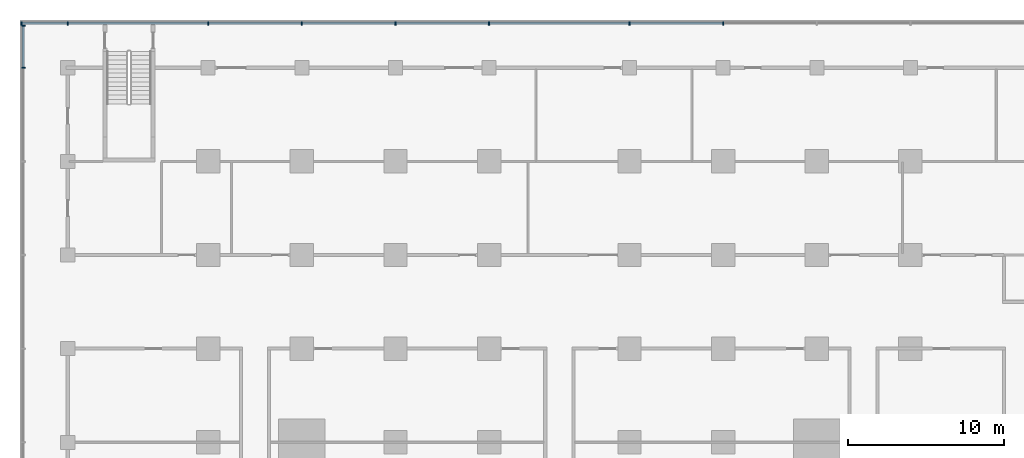
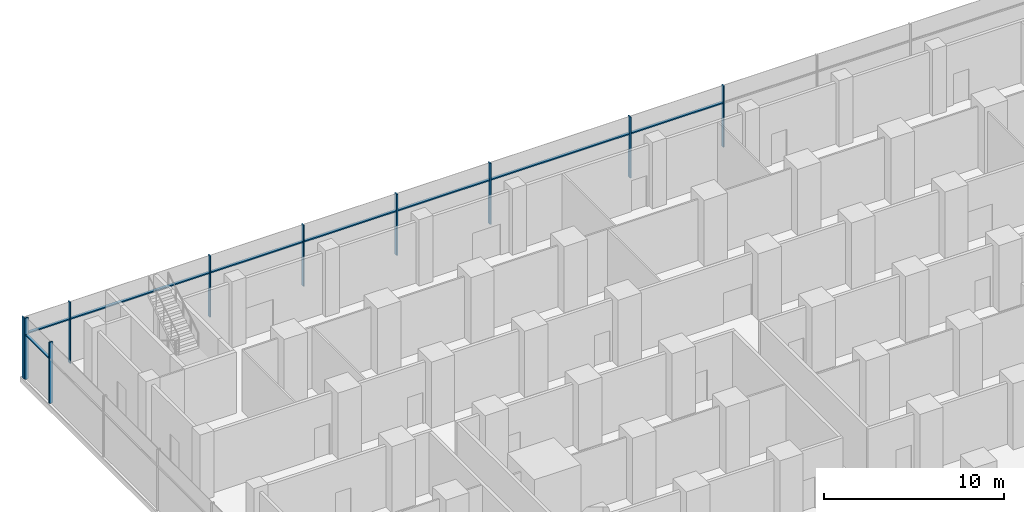
# One storey, part 7 of 22: 18 members, 2 elements without a shape of their own.
"""IFC4 building model written with IfcOpenShell, lengths in metres."""

from ifc_helpers import new_model, si_unit, direction, frame, origin, origin_2d, place, context, subcontext, project, spatial, rectangle, extrude, material, material_profile, profile_set, type_object, element, aggregate, save


model = new_model("IFC4")

# Units and contexts
model_context = context("Model", 3, precision=1e-05, world=origin(), true_north=direction((0.0, 1.0)))
body_context = subcontext(model_context, "Body", "Model", "MODEL_VIEW")
ifc_project = project(units=[si_unit("LENGTHUNIT", "METRE"), si_unit("AREAUNIT", "SQUARE_METRE"), si_unit("VOLUMEUNIT", "CUBIC_METRE"), si_unit("PLANEANGLEUNIT", "RADIAN"), si_unit("MASSUNIT", "GRAM", prefix="KILO")], contexts=[model_context])

# Site, building, storey
site_placement = place(None, origin())
site = spatial("IfcSite", under=ifc_project, at=site_placement, CompositionType="ELEMENT")
building_placement = place(site_placement, origin())
building = spatial("IfcBuilding", under=site, at=building_placement, Name="Finial Court Residences", CompositionType="ELEMENT")
storey_placement = place(building_placement, frame((0.0, 0.0, 23.5)))
storey = spatial("IfcBuildingStorey", under=building, at=storey_placement, Name="L04", CompositionType="ELEMENT", Elevation=23.5)

# Curtain wall, members
ifc_material = material(Name="Bronze anodised aluminium", Category="aluminium")
curtain_wall_type = type_object("IfcCurtainWallType", Name="Podium curtain wall", PredefinedType="NOTDEFINED", material=ifc_material)
curtain_wall_1_placement = place(storey_placement, origin())
curtain_wall_1 = element("IfcCurtainWall", 1, at=curtain_wall_1_placement, inside=storey, type_object=curtain_wall_type, Name="E-L04-CW-N1", PredefinedType="NOTDEFINED")
ifc_material_profile_1 = material_profile(ifc_material, rectangle(XDim=0.22509765625, YDim=0.080078125, at=origin_2d()), Name="CW5 mullion 80 x 225")
ifc_profile_set_1 = profile_set([ifc_material_profile_1], Name="Bronze anodised aluminium")
member_type_1 = type_object("IfcMemberType", Name="CW5 mullion 80 x 225", PredefinedType="MULLION", material=ifc_profile_set_1)
member_1_placement = place(storey_placement, frame((-34.4599609375, 34.35009765625, 0.0), z_axis=(0.0, 0.0, 1.0), x_axis=(0.0, 1.0, 0.0)))
member_1 = element("IfcMember", 2, at=member_1_placement, type_object=member_type_1, Name="CW5 mullion 1", PredefinedType="MULLION", context=body_context, shape_type="SweptSolid", body=[
    extrude(rectangle(XDim=0.22509765625, YDim=0.080078125, at=origin_2d()), origin(), (0.0, 0.0, 1.0), 4.14990234375),
])
member_2_placement = place(storey_placement, frame((-31.5, 34.35009765625, 0.0), z_axis=(0.0, 0.0, 1.0), x_axis=(0.0, 1.0, 0.0)))
member_2 = element("IfcMember", 3, at=member_2_placement, type_object=member_type_1, Name="CW5 mullion 2", PredefinedType="MULLION", context=body_context, shape_type="SweptSolid", body=[
    extrude(rectangle(XDim=0.22509765625, YDim=0.080078125, at=origin_2d()), origin(), (0.0, 0.0, 1.0), 4.14990234375),
])
member_3_placement = place(storey_placement, frame((-22.5, 34.35009765625, 0.0), z_axis=(0.0, 0.0, 1.0), x_axis=(0.0, 1.0, 0.0)))
member_3 = element("IfcMember", 4, at=member_3_placement, type_object=member_type_1, Name="CW5 mullion 3", PredefinedType="MULLION", context=body_context, shape_type="SweptSolid", body=[
    extrude(rectangle(XDim=0.22509765625, YDim=0.080078125, at=origin_2d()), origin(), (0.0, 0.0, 1.0), 4.14990234375),
])
member_4_placement = place(storey_placement, frame((-16.5, 34.35009765625, 0.0), z_axis=(0.0, 0.0, 1.0), x_axis=(0.0, 1.0, 0.0)))
member_4 = element("IfcMember", 5, at=member_4_placement, type_object=member_type_1, Name="CW5 mullion 4", PredefinedType="MULLION", context=body_context, shape_type="SweptSolid", body=[
    extrude(rectangle(XDim=0.22509765625, YDim=0.080078125, at=origin_2d()), origin(), (0.0, 0.0, 1.0), 4.14990234375),
])
member_5_placement = place(storey_placement, frame((-10.5, 34.35009765625, 0.0), z_axis=(0.0, 0.0, 1.0), x_axis=(0.0, 1.0, 0.0)))
member_5 = element("IfcMember", 6, at=member_5_placement, type_object=member_type_1, Name="CW5 mullion 5", PredefinedType="MULLION", context=body_context, shape_type="SweptSolid", body=[
    extrude(rectangle(XDim=0.22509765625, YDim=0.080078125, at=origin_2d()), origin(), (0.0, 0.0, 1.0), 4.14990234375),
])
member_6_placement = place(storey_placement, frame((-4.5, 34.35009765625, 0.0), z_axis=(0.0, 0.0, 1.0), x_axis=(0.0, 1.0, 0.0)))
member_6 = element("IfcMember", 7, at=member_6_placement, type_object=member_type_1, Name="CW5 mullion 6", PredefinedType="MULLION", context=body_context, shape_type="SweptSolid", body=[
    extrude(rectangle(XDim=0.22509765625, YDim=0.080078125, at=origin_2d()), origin(), (0.0, 0.0, 1.0), 4.14990234375),
])
member_7_placement = place(storey_placement, frame((4.5, 34.35009765625, 0.0), z_axis=(0.0, 0.0, 1.0), x_axis=(0.0, 1.0, 0.0)))
member_7 = element("IfcMember", 8, at=member_7_placement, type_object=member_type_1, Name="CW5 mullion 7", PredefinedType="MULLION", context=body_context, shape_type="SweptSolid", body=[
    extrude(rectangle(XDim=0.22509765625, YDim=0.080078125, at=origin_2d()), origin(), (0.0, 0.0, 1.0), 4.14990234375),
])
member_8_placement = place(storey_placement, frame((10.5, 34.35009765625, 0.0), z_axis=(0.0, 0.0, 1.0), x_axis=(0.0, 1.0, 0.0)))
member_8 = element("IfcMember", 9, at=member_8_placement, type_object=member_type_1, Name="CW5 mullion 8", PredefinedType="MULLION", context=body_context, shape_type="SweptSolid", body=[
    extrude(rectangle(XDim=0.22509765625, YDim=0.080078125, at=origin_2d()), origin(), (0.0, 0.0, 1.0), 4.14990234375),
])

curtain_wall_2_placement = place(storey_placement, origin())
curtain_wall_2 = element("IfcCurtainWall", 10, at=curtain_wall_2_placement, inside=storey, type_object=curtain_wall_type, Name="E-L04-CW-W4", PredefinedType="NOTDEFINED")
member_9_placement = place(storey_placement, frame((-34.35009765625, 31.5, 0.0), z_axis=(0.0, 0.0, 1.0), x_axis=(-1.0, 0.0, 0.0)))
member_9 = element("IfcMember", 11, at=member_9_placement, type_object=member_type_1, Name="CW5 mullion 11", PredefinedType="MULLION", context=body_context, shape_type="SweptSolid", body=[
    extrude(rectangle(XDim=0.22509765625, YDim=0.080078125, at=origin_2d()), origin(), (0.0, 0.0, 1.0), 4.14990234375),
])
member_10_placement = place(storey_placement, frame((-34.35009765625, 34.197509765625, 0.0), z_axis=(0.0, 0.0, 1.0), x_axis=(-1.0, 0.0, 0.0)))
member_10 = element("IfcMember", 12, at=member_10_placement, type_object=member_type_1, Name="CW5 mullion 12", PredefinedType="MULLION", context=body_context, shape_type="SweptSolid", body=[
    extrude(rectangle(XDim=0.22509765625, YDim=0.080078125, at=origin_2d()), origin(), (0.0, 0.0, 1.0), 4.14990234375),
])

# Member
ifc_material_profile_2 = material_profile(ifc_material, rectangle(XDim=0.175048828125, YDim=0.080078125, at=origin_2d()), Name="CW5 transom 80 x 175")
ifc_profile_set_2 = profile_set([ifc_material_profile_2], Name="Bronze anodised aluminium")
member_type_2 = type_object("IfcMemberType", Name="CW5 transom 80 x 175", PredefinedType="USERDEFINED", material=ifc_profile_set_2)
member_11_placement = place(storey_placement, frame((-34.419921875, 34.35009765625, 3.0), z_axis=(1.0, 0.0, 0.0), x_axis=(0.0, 1.0, 0.0)))
member_11 = element("IfcMember", 13, at=member_11_placement, type_object=member_type_2, Name="CW5 transom 1.1", ObjectType="TRANSOM", PredefinedType="USERDEFINED", context=body_context, shape_type="SweptSolid", body=[
    extrude(rectangle(XDim=0.175048828125, YDim=0.080078125, at=origin_2d()), origin(), (0.0, 0.0, 1.0), 2.8798828125),
])

member_12_placement = place(storey_placement, frame((-31.4599609375, 34.35009765625, 3.0), z_axis=(1.0, 0.0, 0.0), x_axis=(0.0, 1.0, 0.0)))
member_12 = element("IfcMember", 14, at=member_12_placement, type_object=member_type_2, Name="CW5 transom 2.1", ObjectType="TRANSOM", PredefinedType="USERDEFINED", context=body_context, shape_type="SweptSolid", body=[
    extrude(rectangle(XDim=0.175048828125, YDim=0.080078125, at=origin_2d()), origin(), (0.0, 0.0, 1.0), 8.919921875),
])

member_13_placement = place(storey_placement, frame((-22.4599609375, 34.35009765625, 3.0), z_axis=(1.0, 0.0, 0.0), x_axis=(0.0, 1.0, 0.0)))
member_13 = element("IfcMember", 15, at=member_13_placement, type_object=member_type_2, Name="CW5 transom 3.1", ObjectType="TRANSOM", PredefinedType="USERDEFINED", context=body_context, shape_type="SweptSolid", body=[
    extrude(rectangle(XDim=0.175048828125, YDim=0.080078125, at=origin_2d()), origin(), (0.0, 0.0, 1.0), 5.919921875),
])

member_14_placement = place(storey_placement, frame((-16.4599609375, 34.35009765625, 3.0), z_axis=(1.0, 0.0, 0.0), x_axis=(0.0, 1.0, 0.0)))
member_14 = element("IfcMember", 16, at=member_14_placement, type_object=member_type_2, Name="CW5 transom 4.1", ObjectType="TRANSOM", PredefinedType="USERDEFINED", context=body_context, shape_type="SweptSolid", body=[
    extrude(rectangle(XDim=0.175048828125, YDim=0.080078125, at=origin_2d()), origin(), (0.0, 0.0, 1.0), 5.919921875),
])

member_15_placement = place(storey_placement, frame((-10.4599609375, 34.35009765625, 3.0), z_axis=(1.0, 0.0, 0.0), x_axis=(0.0, 1.0, 0.0)))
member_15 = element("IfcMember", 17, at=member_15_placement, type_object=member_type_2, Name="CW5 transom 5.1", ObjectType="TRANSOM", PredefinedType="USERDEFINED", context=body_context, shape_type="SweptSolid", body=[
    extrude(rectangle(XDim=0.175048828125, YDim=0.080078125, at=origin_2d()), origin(), (0.0, 0.0, 1.0), 5.919921875),
])

member_16_placement = place(storey_placement, frame((-4.4599609375, 34.35009765625, 3.0), z_axis=(1.0, 0.0, 0.0), x_axis=(0.0, 1.0, 0.0)))
member_16 = element("IfcMember", 18, at=member_16_placement, type_object=member_type_2, Name="CW5 transom 6.1", ObjectType="TRANSOM", PredefinedType="USERDEFINED", context=body_context, shape_type="SweptSolid", body=[
    extrude(rectangle(XDim=0.175048828125, YDim=0.080078125, at=origin_2d()), origin(), (0.0, 0.0, 1.0), 8.919921875),
])

member_17_placement = place(storey_placement, frame((4.5400390625, 34.35009765625, 3.0), z_axis=(1.0, 0.0, 0.0), x_axis=(0.0, 1.0, 0.0)))
member_17 = element("IfcMember", 19, at=member_17_placement, type_object=member_type_2, Name="CW5 transom 7.1", ObjectType="TRANSOM", PredefinedType="USERDEFINED", context=body_context, shape_type="SweptSolid", body=[
    extrude(rectangle(XDim=0.175048828125, YDim=0.080078125, at=origin_2d()), origin(), (0.0, 0.0, 1.0), 5.919921875),
])

aggregate(curtain_wall_1, [member_1, member_2, member_3, member_4, member_5, member_6, member_7, member_8, member_11, member_12, member_13, member_14, member_15, member_16, member_17])

member_18_placement = place(storey_placement, frame((-34.35009765625, 31.5400390625, 3.0), z_axis=(0.0, 1.0, 0.0), x_axis=(-1.0, 0.0, 0.0)))
member_18 = element("IfcMember", 20, at=member_18_placement, type_object=member_type_2, Name="CW5 transom 11.1", ObjectType="TRANSOM", PredefinedType="USERDEFINED", context=body_context, shape_type="SweptSolid", body=[
    extrude(rectangle(XDim=0.175048828125, YDim=0.080078125, at=origin_2d()), origin(), (0.0, 0.0, 1.0), 2.617431640625),
])

aggregate(curtain_wall_2, [member_9, member_10, member_18])

save(model, "model.ifc")
